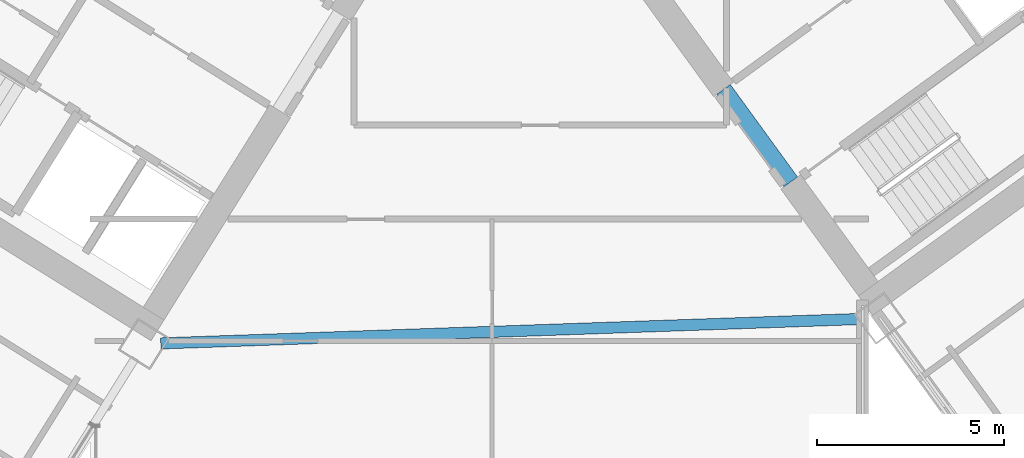
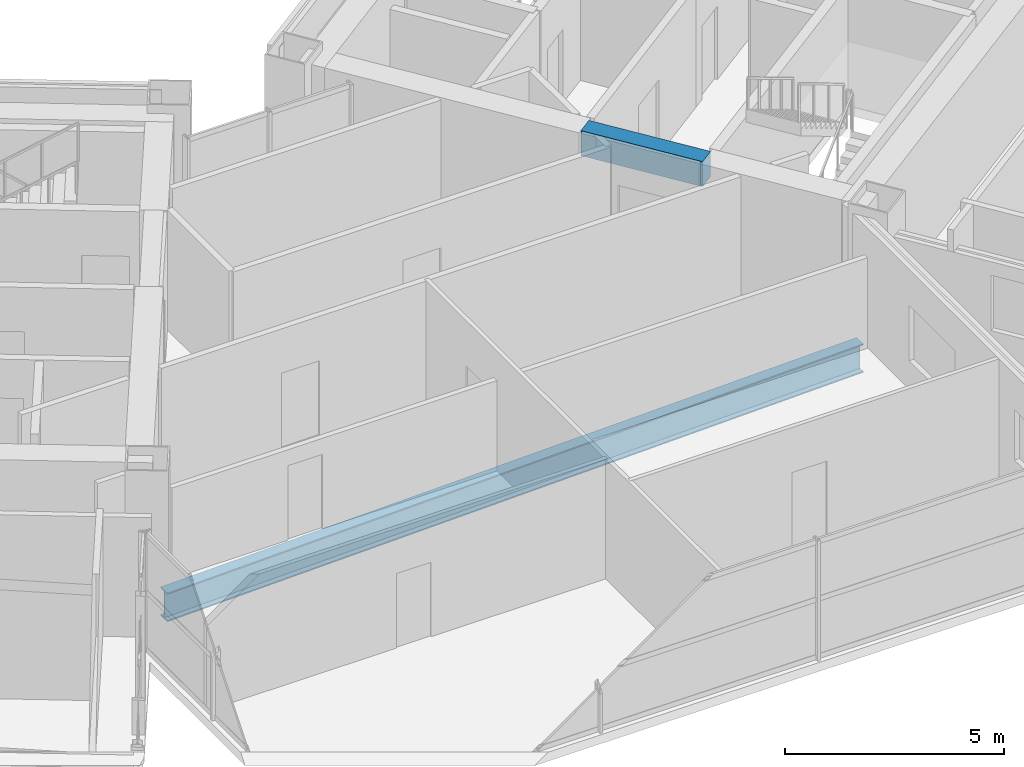
# One storey, part 8 of 28: 2 beams.
"""IFC4 building model written with IfcOpenShell, lengths in metres."""

from ifc_helpers import new_model, si_unit, direction, frame, origin, origin_2d, place, context, subcontext, project, spatial, rectangle, i_section, extrude, source, transform, mapped, material, material_profile, profile_set, type_object, element, save


model = new_model("IFC4")

# Units and contexts
model_context = context("Model", 3, precision=1e-05, world=origin(), true_north=direction((0.0, 1.0)))
body_context = subcontext(model_context, "Body", "Model", "MODEL_VIEW")
ifc_project = project(units=[si_unit("LENGTHUNIT", "METRE"), si_unit("AREAUNIT", "SQUARE_METRE"), si_unit("VOLUMEUNIT", "CUBIC_METRE"), si_unit("PLANEANGLEUNIT", "RADIAN"), si_unit("MASSUNIT", "GRAM", prefix="KILO")], contexts=[model_context])

# Site, building, storey
site_placement = place(None, origin())
site = spatial("IfcSite", under=ifc_project, at=site_placement, CompositionType="ELEMENT")
building_placement = place(site_placement, origin())
building = spatial("IfcBuilding", under=site, at=building_placement, Name="Tlacorven Tower", CompositionType="ELEMENT")
storey_placement = place(building_placement, frame((0.0, 0.0, 63.60009765625)))
storey = spatial("IfcBuildingStorey", under=building, at=storey_placement, Name="L16", CompositionType="ELEMENT", Elevation=63.60009765625)

# Beams
ifc_material_1 = material(Name="Concrete C60/75", Category="concrete")
ifc_material_profile_1 = material_profile(ifc_material_1, rectangle(XDim=0.449951171875, YDim=0.699951171875, at=origin_2d()), Name="RC 450X700")
ifc_profile_set_1 = profile_set([ifc_material_profile_1], Name="Concrete C60/75")
beam_type_1 = type_object("IfcBeamType", Name="BM-LNT-700", PredefinedType="LINTEL", material=ifc_profile_set_1)
shared_shape_1 = source(origin(), body_context, "Body", "SweptSolid", [
    extrude(rectangle(XDim=0.449951171875, YDim=0.699951171875, at=origin_2d()), origin(), (0.0, 0.0, 1.0), 3.050048828125),
])
beam_1_placement = place(storey_placement, frame((50.318359375, 16.416015625, 3.0), z_axis=(-0.587776590479, 0.80902328748, 0.0), x_axis=(-0.80902328748, -0.587776590479, 0.0)))
element("IfcBeam", 1, at=beam_1_placement, inside=storey, type_object=beam_type_1, Name="L16 E core coupling lintel beam E1", PredefinedType="LINTEL", context=body_context, shape_type="MappedRepresentation", body=[
    mapped(shared_shape_1, transform((0.0, 0.0, 0.0), scale=1.0)),
])
ifc_material_2 = material(Name="Steel S355J2", Category="steel")
ifc_material_profile_2 = material_profile(ifc_material_2, i_section(OverallWidth=0.300048828125, OverallDepth=0.800048828125, WebThickness=0.017578125, FlangeThickness=0.032958984375, at=origin_2d()), Name="HEB 800")
ifc_profile_set_2 = profile_set([ifc_material_profile_2], Name="Steel S355J2")
beam_type_2 = type_object("IfcBeamType", Name="BM-POD-800", PredefinedType="BEAM", material=ifc_profile_set_2)
shared_shape_2 = source(origin(), body_context, "Body", "SweptSolid", [
    extrude(i_section(OverallWidth=0.300048828125, OverallDepth=0.800048828125, WebThickness=0.017578125, FlangeThickness=0.032958984375, at=origin_2d()), origin(), (0.0, 0.0, 1.0), 18.771240234375),
])
beam_2_placement = place(storey_placement, frame((33.495849609375, 12.1025390625, -0.650146484375), z_axis=(0.999390514848, 0.034908434954, 0.0), x_axis=(-0.034908434954, 0.999390514848, 0.0)))
element("IfcBeam", 2, at=beam_2_placement, inside=storey, type_object=beam_type_2, Name="L16 Knuckle Link Girder 2", PredefinedType="BEAM", context=body_context, shape_type="MappedRepresentation", body=[
    mapped(shared_shape_2, transform((0.0, 0.0, 0.0), scale=1.0)),
])

save(model, "model.ifc")
